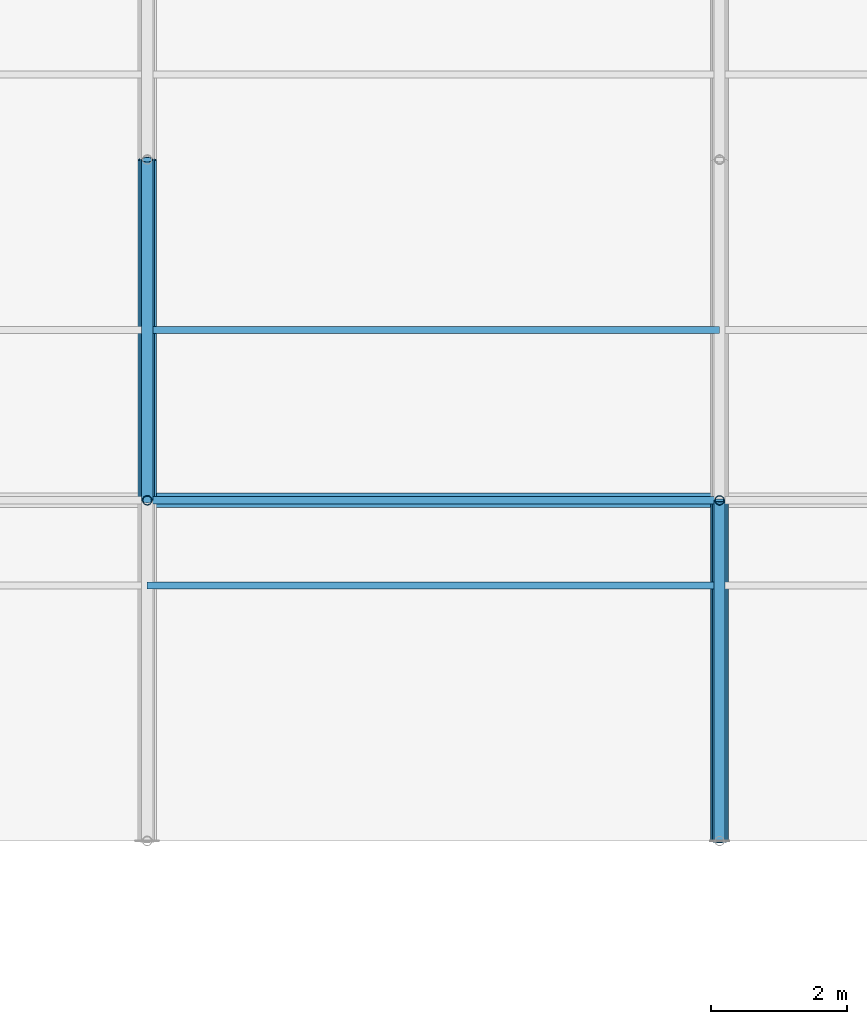
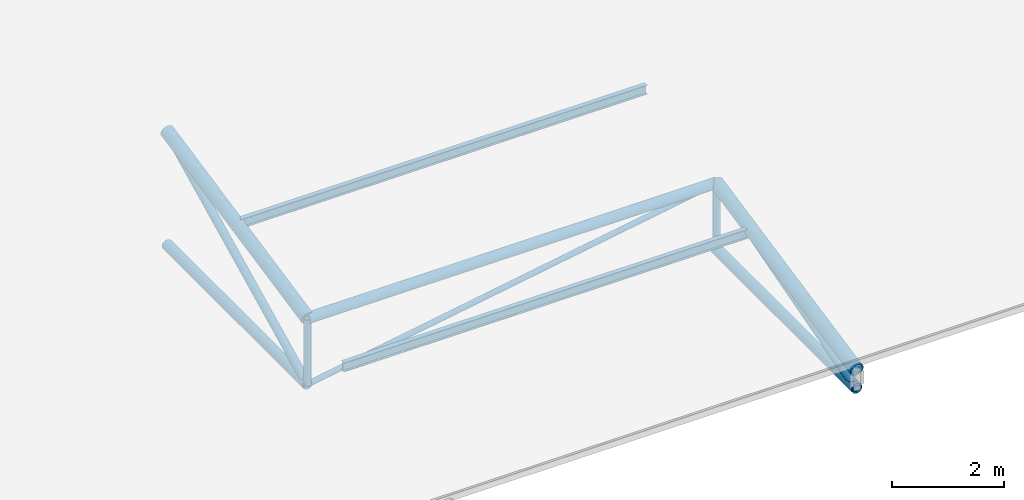
# One storey, part 69 of 194: 10 members, 2 beams.
"""IFC4 building model written with IfcOpenShell, lengths in metres."""

from ifc_helpers import new_model, si_unit, direction, frame, origin, origin_2d, place, context, subcontext, project, spatial, hollow_circle, i_section, extrude, material, material_profile, profile_set, type_object, element, save


model = new_model("IFC4")

# Units and contexts
model_context = context("Model", 3, precision=1e-05, world=origin(), true_north=direction((0.0, 1.0)))
body_context = subcontext(model_context, "Body", "Model", "MODEL_VIEW")
ifc_project = project(units=[si_unit("LENGTHUNIT", "METRE"), si_unit("AREAUNIT", "SQUARE_METRE"), si_unit("VOLUMEUNIT", "CUBIC_METRE"), si_unit("PLANEANGLEUNIT", "RADIAN"), si_unit("MASSUNIT", "GRAM", prefix="KILO")], contexts=[model_context])

# Site, building, storey
site_placement = place(None, origin())
site = spatial("IfcSite", under=ifc_project, at=site_placement, CompositionType="ELEMENT")
building_placement = place(site_placement, origin())
building = spatial("IfcBuilding", under=site, at=building_placement, Name="Kazenagashi Tramway Depot", CompositionType="ELEMENT")
storey_placement = place(building_placement, frame((0.0, 0.0, 23.7)))
storey = spatial("IfcBuildingStorey", under=building, at=storey_placement, Name="ROOF", CompositionType="ELEMENT", Elevation=23.7)

# Beams
ifc_material_1 = material(Name="Steel SN400B", Category="steel")
ifc_material_profile_1 = material_profile(ifc_material_1, i_section(OverallWidth=0.1, OverallDepth=0.2, WebThickness=0.0055, FlangeThickness=0.008, at=origin_2d()), Name="H-200x100x5.5x8")
ifc_profile_set_1 = profile_set([ifc_material_profile_1], Name="Steel SN400B")
beam_type = type_object("IfcBeamType", Name="PR-01", PredefinedType="USERDEFINED", material=ifc_profile_set_1)
for number, where, z_axis, x_axis, name in (
    (1, (128.8, 73.75, -12.955), (1.0, 0.0, 0.0), (0.0, 1.0, 0.0), "Beam PR-01 BM-2028"),
    (2, (128.8, 77.5, -12.13), (1.0, 0.0, 0.0), (0.0, 1.0, 0.0), "Beam PR-01 BM-2046"),
):
    element("IfcBeam", number, at=place(storey_placement, frame(where, z_axis=z_axis, x_axis=x_axis)), inside=storey, type_object=beam_type, Name=name, ObjectType="PURLIN", PredefinedType="USERDEFINED", context=body_context, shape_type="SweptSolid", body=[
        extrude(i_section(OverallWidth=0.1, OverallDepth=0.2, WebThickness=0.0055, FlangeThickness=0.008, at=origin_2d()), origin(), (0.0, 0.0, 1.0), 8.4),
    ])

# Members
ifc_material_2 = material(Name="Steel STK490", Category="steel")
ifc_material_profile_2 = material_profile(ifc_material_2, hollow_circle(Radius=0.1337, WallThickness=0.0093, at=origin_2d()), Name="CHS-267.4x9.3")
ifc_profile_set_2 = profile_set([ifc_material_profile_2], Name="Steel STK490")
member_type_1 = type_object("IfcMemberType", Name="TC-01", PredefinedType="CHORD", material=ifc_profile_set_2)
member_1_placement = place(storey_placement, frame((128.8, 75.0, -12.667), z_axis=(0.0, 0.979279174591, 0.202514933305), x_axis=(-1.0, 0.0, 0.0)))
element("IfcMember", 3, at=member_1_placement, inside=storey, type_object=member_type_1, Name="Tubular Space Frame TC-01 MEM-0614", PredefinedType="CHORD", context=body_context, shape_type="SweptSolid", body=[
    extrude(hollow_circle(Radius=0.1337, WallThickness=0.0093, at=origin_2d()), origin(), (0.0, 0.0, 1.0), 5.105796),
])
member_2_placement = place(storey_placement, frame((137.2, 70.0, -13.7), z_axis=(0.0, 0.979317999984, 0.202327098797), x_axis=(-1.0, 0.0, 0.0)))
element("IfcMember", 4, at=member_2_placement, inside=storey, type_object=member_type_1, Name="Tubular Space Frame TC-01 MEM-0672", PredefinedType="CHORD", context=body_context, shape_type="SweptSolid", body=[
    extrude(hollow_circle(Radius=0.1337, WallThickness=0.0093, at=origin_2d()), origin(), (0.0, 0.0, 1.0), 5.105594),
])
ifc_material_profile_3 = material_profile(ifc_material_2, hollow_circle(Radius=0.10815, WallThickness=0.0082, at=origin_2d()), Name="CHS-216.3x8.2")
ifc_profile_set_3 = profile_set([ifc_material_profile_3], Name="Steel STK490")
member_type_2 = type_object("IfcMemberType", Name="TC-02", PredefinedType="CHORD", material=ifc_profile_set_3)
member_3_placement = place(storey_placement, frame((128.8, 75.0, -14.1), z_axis=(0.0, 1.0, 0.0), x_axis=(-1.0, 0.0, 0.0)))
element("IfcMember", 5, at=member_3_placement, inside=storey, type_object=member_type_2, Name="Tubular Space Frame TC-02 MEM-0615", PredefinedType="CHORD", context=body_context, shape_type="SweptSolid", body=[
    extrude(hollow_circle(Radius=0.10815, WallThickness=0.0082, at=origin_2d()), origin(), (0.0, 0.0, 1.0), 5.0),
])
member_4_placement = place(storey_placement, frame((128.8, 75.0, -12.667), z_axis=(1.0, 0.0, 0.0), x_axis=(0.0, 1.0, 0.0)))
element("IfcMember", 6, at=member_4_placement, inside=storey, type_object=member_type_2, Name="Tubular Space Frame TC-02 MEM-0636", PredefinedType="CHORD", context=body_context, shape_type="SweptSolid", body=[
    extrude(hollow_circle(Radius=0.10815, WallThickness=0.0082, at=origin_2d()), origin(), (0.0, 0.0, 1.0), 8.4),
])
member_5_placement = place(storey_placement, frame((137.2, 70.0, -14.1), z_axis=(0.0, 1.0, 0.0), x_axis=(-1.0, 0.0, 0.0)))
element("IfcMember", 7, at=member_5_placement, inside=storey, type_object=member_type_2, Name="Tubular Space Frame TC-02 MEM-0673", PredefinedType="CHORD", context=body_context, shape_type="SweptSolid", body=[
    extrude(hollow_circle(Radius=0.10815, WallThickness=0.0082, at=origin_2d()), origin(), (0.0, 0.0, 1.0), 5.0),
])
ifc_material_profile_4 = material_profile(ifc_material_2, hollow_circle(Radius=0.0826, WallThickness=0.0071, at=origin_2d()), Name="CHS-165.2x7.1")
ifc_profile_set_4 = profile_set([ifc_material_profile_4], Name="Steel STK490")
member_type_3 = type_object("IfcMemberType", Name="TS-01", PredefinedType="STRUT", material=ifc_profile_set_4)
member_6_placement = place(storey_placement, frame((128.8, 75.0, -14.1), z_axis=(0.0, 0.896782162482, 0.442472318969), x_axis=(-1.0, 0.0, 0.0)))
element("IfcMember", 8, at=member_6_placement, inside=storey, type_object=member_type_3, Name="Tubular Space Frame TS-01 MEM-0616", PredefinedType="STRUT", context=body_context, shape_type="SweptSolid", body=[
    extrude(hollow_circle(Radius=0.0826, WallThickness=0.0071, at=origin_2d()), origin(), (0.0, 0.0, 1.0), 5.57549),
])
member_7_placement = place(storey_placement, frame((137.2, 70.0, -14.1), z_axis=(0.0, 0.961298717795, 0.27550821252), x_axis=(-1.0, 0.0, 0.0)))
element("IfcMember", 9, at=member_7_placement, inside=storey, type_object=member_type_3, Name="Tubular Space Frame TS-01 MEM-0674", PredefinedType="STRUT", context=body_context, shape_type="SweptSolid", body=[
    extrude(hollow_circle(Radius=0.0826, WallThickness=0.0071, at=origin_2d()), origin(), (0.0, 0.0, 1.0), 5.201297),
])
ifc_material_profile_5 = material_profile(ifc_material_2, hollow_circle(Radius=0.0699, WallThickness=0.0066, at=origin_2d()), Name="CHS-139.8x6.6")
ifc_profile_set_5 = profile_set([ifc_material_profile_5], Name="Steel STK490")
member_type_4 = type_object("IfcMemberType", Name="TS-02", PredefinedType="STRUT", material=ifc_profile_set_5)
for number, where, z_axis, x_axis, name in (
    (10, (128.8, 75.0, -14.1), (0.0, 0.0, 1.0), (1.0, 0.0, 0.0), "Tubular Space Frame TS-02 MEM-0630"),
    (11, (137.2, 75.0, -14.1), (0.0, 0.0, 1.0), (1.0, 0.0, 0.0), "Tubular Space Frame TS-02 MEM-0691"),
):
    element("IfcMember", number, at=place(storey_placement, frame(where, z_axis=z_axis, x_axis=x_axis)), inside=storey, type_object=member_type_4, Name=name, PredefinedType="STRUT", context=body_context, shape_type="SweptSolid", body=[
        extrude(hollow_circle(Radius=0.0699, WallThickness=0.0066, at=origin_2d()), origin(), (0.0, 0.0, 1.0), 1.433),
    ])
ifc_material_3 = material(Name="Steel STK400", Category="steel")
ifc_material_profile_6 = material_profile(ifc_material_3, hollow_circle(Radius=0.05715, WallThickness=0.0045, at=origin_2d()), Name="CHS-114.3x4.5")
ifc_profile_set_6 = profile_set([ifc_material_profile_6], Name="Steel STK400")
member_type_5 = type_object("IfcMemberType", Name="TS-03", PredefinedType="STRUT", material=ifc_profile_set_6)
member_8_placement = place(storey_placement, frame((128.8, 75.0, -14.1), z_axis=(0.985758734117, 0.0, 0.168165745951), x_axis=(0.0, 1.0, 0.0)))
element("IfcMember", 12, at=member_8_placement, inside=storey, type_object=member_type_5, Name="Tubular Space Frame TS-03 MEM-0637", PredefinedType="STRUT", context=body_context, shape_type="SweptSolid", body=[
    extrude(hollow_circle(Radius=0.05715, WallThickness=0.0045, at=origin_2d()), origin(), (0.0, 0.0, 1.0), 8.521355),
])

save(model, "model.ifc")
